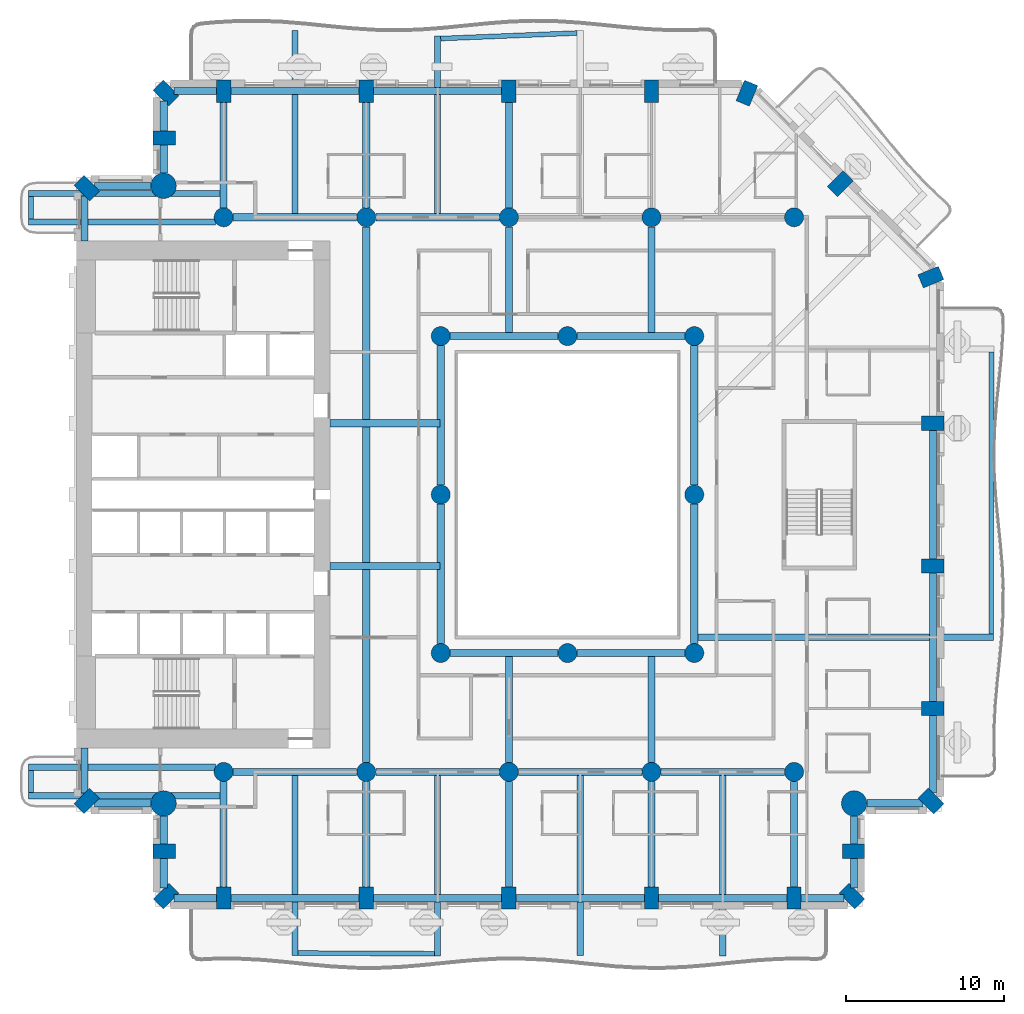
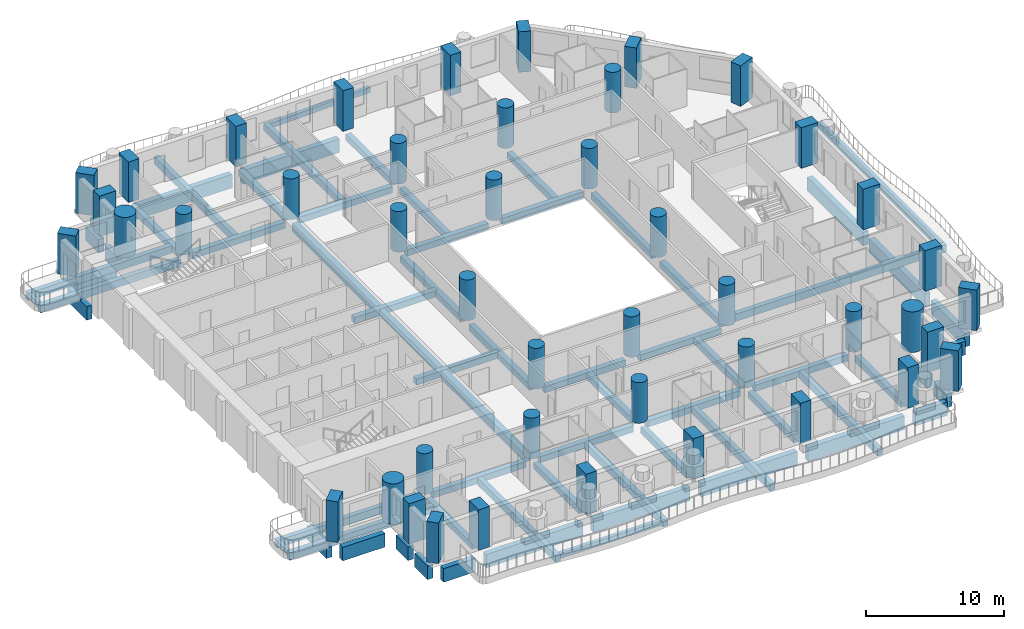
# One storey, part 1 of 20: 70 beams, 45 columns.
"""IFC4 building model written with IfcOpenShell, lengths in metres."""

from ifc_helpers import new_model, si_unit, direction, frame, origin, origin_2d, place, context, subcontext, project, spatial, rectangle, circle, extrude, material, material_profile, profile_set, type_object, element, save


model = new_model("IFC4")

# Units and contexts
model_context = context("Model", 3, precision=1e-05, world=origin(), true_north=direction((0.0, 1.0)))
body_context = subcontext(model_context, "Body", "Model", "MODEL_VIEW")
ifc_project = project(units=[si_unit("LENGTHUNIT", "METRE"), si_unit("AREAUNIT", "SQUARE_METRE"), si_unit("VOLUMEUNIT", "CUBIC_METRE"), si_unit("PLANEANGLEUNIT", "RADIAN"), si_unit("MASSUNIT", "GRAM", prefix="KILO")], contexts=[model_context])

# Site, building, storey
site_placement = place(None, origin())
site = spatial("IfcSite", under=ifc_project, at=site_placement, CompositionType="ELEMENT")
building_placement = place(site_placement, origin())
building = spatial("IfcBuilding", under=site, at=building_placement, Name="Cypress Arch Tower", CompositionType="ELEMENT")
storey_placement = place(building_placement, frame((0.0, 0.0, 62.699951171875)))
storey = spatial("IfcBuildingStorey", under=building, at=storey_placement, Name="L09", CompositionType="ELEMENT", Elevation=62.699951171875)

# Columns
ifc_material_1 = material(Name="Concrete C80/95", Category="concrete")
ifc_material_profile_1 = material_profile(ifc_material_1, rectangle(XDim=0.89990234375, YDim=1.39990234375, at=origin_2d()), Name="RC 900x1400")
ifc_profile_set_1 = profile_set([ifc_material_profile_1], Name="Concrete C80/95")
column_type_1 = type_object("IfcColumnType", Name="Column RC 900x1400 Concrete C80/95", PredefinedType="COLUMN", material=ifc_profile_set_1)
for number, where, z_axis, x_axis, name in (
    (1, (-29.3369140625, 19.3369140625, 0.0), (0.0, 0.0, 1.0), (-0.707106781187, -0.707106781187, 0.0), "Column L09 CA00"),
    (2, (-29.3369140625, -19.3369140625, 0.0), (0.0, 0.0, 1.0), (0.707106781187, -0.707106781187, 0.0), "Column L09 CA01"),
    (3, (-24.449951171875, -22.5, 0.0), (0.0, 0.0, 1.0), (0.0, -1.0, 0.0), "Column L09 CA03"),
    (4, (-24.3369140625, -25.3369140625, 0.0), (0.0, 0.0, 1.0), (0.707106781187, -0.707106781187, 0.0), "Column L09 CA04"),
    (5, (-20.699951171875, -25.449951171875, 0.0), (0.0, 0.0, 1.0), (1.0, 0.0, 0.0), "Column L09 CA05"),
    (6, (-11.699951171875, -25.449951171875, 0.0), (0.0, 0.0, 1.0), (1.0, 0.0, 0.0), "Column L09 CA06"),
    (7, (-2.699951171875, -25.449951171875, 0.0), (0.0, 0.0, 1.0), (1.0, 0.0, 0.0), "Column L09 CA07"),
    (8, (6.300048828125, -25.449951171875, 0.0), (0.0, 0.0, 1.0), (1.0, 0.0, 0.0), "Column L09 CA08"),
    (9, (15.300048828125, -25.449951171875, 0.0), (0.0, 0.0, 1.0), (1.0, 0.0, 0.0), "Column L09 CA09"),
    (10, (18.936767578125, -25.3369140625, 0.0), (0.0, 0.0, 1.0), (0.707106781187, 0.707106781187, 0.0), "Column L09 CA10"),
    (11, (19.050048828125, -22.5, 0.0), (0.0, 0.0, 1.0), (0.0, 1.0, 0.0), "Column L09 CA11"),
    (12, (23.936767578125, -19.3369140625, 0.0), (0.0, 0.0, 1.0), (0.707106781187, 0.707106781187, 0.0), "Column L09 CA13"),
    (13, (24.050048828125, -13.5, 0.0), (0.0, 0.0, 1.0), (0.0, 1.0, 0.0), "Column L09 CA14"),
    (14, (24.050048828125, -4.5, 0.0), (0.0, 0.0, 1.0), (0.0, 1.0, 0.0), "Column L09 CA15"),
    (15, (24.050048828125, 4.5, 0.0), (0.0, 0.0, 1.0), (0.0, 1.0, 0.0), "Column L09 CA16"),
    (16, (23.93115234375, 13.722900390625, 0.0), (0.0, 0.0, 1.0), (-0.382683496864, 0.923879505795, 0.0), "Column L09 CA17"),
    (17, (18.211181640625, 19.611083984375, 0.0), (0.0, 0.0, 1.0), (-0.707106781187, 0.707106781187, 0.0), "Column L09 CA18"),
    (18, (12.322998046875, 25.3310546875, 0.0), (0.0, 0.0, 1.0), (-0.923879505795, 0.382683496864, 0.0), "Column L09 CA19"),
    (19, (6.300048828125, 25.449951171875, 0.0), (0.0, 0.0, 1.0), (-1.0, 0.0, 0.0), "Column L09 CA20"),
    (20, (-2.699951171875, 25.449951171875, 0.0), (0.0, 0.0, 1.0), (-1.0, 0.0, 0.0), "Column L09 CA21"),
    (21, (-11.699951171875, 25.449951171875, 0.0), (0.0, 0.0, 1.0), (-1.0, 0.0, 0.0), "Column L09 CA22"),
    (22, (-20.699951171875, 25.449951171875, 0.0), (0.0, 0.0, 1.0), (-1.0, 0.0, 0.0), "Column L09 CA23"),
    (23, (-24.3369140625, 25.3369140625, 0.0), (0.0, 0.0, 1.0), (-0.707106781187, -0.707106781187, 0.0), "Column L09 CA24"),
    (24, (-24.449951171875, 22.5, 0.0), (0.0, 0.0, 1.0), (0.0, -1.0, 0.0), "Column L09 CA25"),
):
    element("IfcColumn", number, at=place(storey_placement, frame(where, z_axis=z_axis, x_axis=x_axis)), inside=storey, type_object=column_type_1, Name=name, PredefinedType="COLUMN", context=body_context, shape_type="SweptSolid", body=[
        extrude(rectangle(XDim=0.89990234375, YDim=1.39990234375, at=origin_2d()), origin(), (0.0, 0.0, 1.0), 3.60009765625),
    ])
ifc_material_2 = material(Name="Concrete C80/95", Category="concrete")
ifc_material_profile_2 = material_profile(ifc_material_2, circle(Radius=0.60009765625, at=origin_2d()), Name="RC D1200")
ifc_profile_set_2 = profile_set([ifc_material_profile_2], Name="Concrete C80/95")
column_type_2 = type_object("IfcColumnType", Name="Column RC D1200 Concrete C80/95", PredefinedType="COLUMN", material=ifc_profile_set_2)
for number, where, z_axis, x_axis, name in (
    (25, (-20.699951171875, -17.5, 0.0), (0.0, 0.0, 1.0), (1.0, 0.0, 0.0), "Column L09 CIC-L09-CI3S"),
    (26, (-11.699951171875, -17.5, 0.0), (0.0, 0.0, 1.0), (1.0, 0.0, 0.0), "Column L09 CIC-L09-CI4S"),
    (27, (-2.699951171875, -17.5, 0.0), (0.0, 0.0, 1.0), (1.0, 0.0, 0.0), "Column L09 CIC-L09-CI5S"),
    (28, (6.300048828125, -17.5, 0.0), (0.0, 0.0, 1.0), (1.0, 0.0, 0.0), "Column L09 CIC-L09-CI6S"),
    (29, (15.300048828125, -17.5, 0.0), (0.0, 0.0, 1.0), (1.0, 0.0, 0.0), "Column L09 CIC-L09-CI7S"),
    (30, (-20.699951171875, 17.5, 0.0), (0.0, 0.0, 1.0), (1.0, 0.0, 0.0), "Column L09 CIC-L09-CI3N"),
    (31, (-11.699951171875, 17.5, 0.0), (0.0, 0.0, 1.0), (1.0, 0.0, 0.0), "Column L09 CIC-L09-CI4N"),
    (32, (-2.699951171875, 17.5, 0.0), (0.0, 0.0, 1.0), (1.0, 0.0, 0.0), "Column L09 CIC-L09-CI5N"),
    (33, (6.300048828125, 17.5, 0.0), (0.0, 0.0, 1.0), (1.0, 0.0, 0.0), "Column L09 CIC-L09-CI6N"),
    (34, (15.300048828125, 17.5, 0.0), (0.0, 0.0, 1.0), (1.0, 0.0, 0.0), "Column L09 CIC-L09-CI7N"),
    (35, (-7.0, -10.0, 0.0), (0.0, 0.0, 1.0), (1.0, 0.0, 0.0), "Column L09 RNG-L09-G-7-10"),
    (36, (-7.0, 0.0, 0.0), (0.0, 0.0, 1.0), (1.0, 0.0, 0.0), "Column L09 RNG-L09-G-7+0"),
    (37, (-7.0, 10.0, 0.0), (0.0, 0.0, 1.0), (1.0, 0.0, 0.0), "Column L09 RNG-L09-G-7+10"),
    (38, (1.0, -10.0, 0.0), (0.0, 0.0, 1.0), (1.0, 0.0, 0.0), "Column L09 RNG-L09-G+1-10"),
    (39, (1.0, 10.0, 0.0), (0.0, 0.0, 1.0), (1.0, 0.0, 0.0), "Column L09 RNG-L09-G+1+10"),
    (40, (9.0, -10.0, 0.0), (0.0, 0.0, 1.0), (1.0, 0.0, 0.0), "Column L09 RNG-L09-G+9-10"),
    (41, (9.0, 0.0, 0.0), (0.0, 0.0, 1.0), (1.0, 0.0, 0.0), "Column L09 RNG-L09-G+9+0"),
    (42, (9.0, 10.0, 0.0), (0.0, 0.0, 1.0), (1.0, 0.0, 0.0), "Column L09 RNG-L09-G+9+10"),
):
    element("IfcColumn", number, at=place(storey_placement, frame(where, z_axis=z_axis, x_axis=x_axis)), inside=storey, type_object=column_type_2, Name=name, PredefinedType="COLUMN", context=body_context, shape_type="SweptSolid", body=[
        extrude(circle(Radius=0.60009765625, at=origin_2d()), origin(), (0.0, 0.0, 1.0), 3.60009765625),
    ])
ifc_material_3 = material(Name="Concrete C80/95", Category="concrete")
ifc_material_profile_3 = material_profile(ifc_material_3, circle(Radius=0.800048828125, at=origin_2d()), Name="RC D1600")
ifc_profile_set_3 = profile_set([ifc_material_profile_3], Name="Concrete C80/95")
column_type_3 = type_object("IfcColumnType", Name="Mega-column RC D1600 Concrete C80/95", PredefinedType="COLUMN", material=ifc_profile_set_3)
for number, where, z_axis, x_axis, name in (
    (43, (-24.48779296875, -19.48779296875, 0.0), (0.0, 0.0, 1.0), (1.0, 0.0, 0.0), "Column L09 CA02"),
    (44, (19.087890625, -19.48779296875, 0.0), (0.0, 0.0, 1.0), (1.0, 0.0, 0.0), "Column L09 CA12"),
    (45, (-24.48779296875, 19.48779296875, 0.0), (0.0, 0.0, 1.0), (1.0, 0.0, 0.0), "Column L09 CA26"),
):
    element("IfcColumn", number, at=place(storey_placement, frame(where, z_axis=z_axis, x_axis=x_axis)), inside=storey, type_object=column_type_3, Name=name, PredefinedType="COLUMN", context=body_context, shape_type="SweptSolid", body=[
        extrude(circle(Radius=0.800048828125, at=origin_2d()), origin(), (0.0, 0.0, 1.0), 3.60009765625),
    ])

# Beams
ifc_material_4 = material(Name="Concrete C50/60", Category="concrete")
ifc_material_profile_4 = material_profile(ifc_material_4, rectangle(XDim=0.300048828125, YDim=0.449951171875, at=origin_2d()), Name="RC 300x450")
ifc_profile_set_4 = profile_set([ifc_material_profile_4], Name="Concrete C50/60")
beam_type_1 = type_object("IfcBeamType", Name="Balcony edge beam RC 300x450 Concrete C50/60", PredefinedType="BEAM", material=ifc_profile_set_4)
beam_1_placement = place(storey_placement, frame((-16.0, -28.929443359375, -0.52490234375), z_axis=(0.999988762519, -0.004740763168, 0.0), x_axis=(0.004740763168, 0.999988762519, 0.0)))
element("IfcBeam", 46, at=beam_1_placement, inside=storey, type_object=beam_type_1, Name="Balcony edge beam L09 A03", PredefinedType="BEAM", context=body_context, shape_type="SweptSolid", body=[
    extrude(rectangle(XDim=0.300048828125, YDim=0.449951171875, at=origin_2d()), origin(), (0.0, 0.0, 1.0), 8.60009765625),
])
beam_2_placement = place(storey_placement, frame((1.60009765625, 29.12548828125, -0.52490234375), z_axis=(-0.999182777257, -0.040420015261, 0.0), x_axis=(0.040420015261, -0.999182777257, 0.0)))
element("IfcBeam", 47, at=beam_2_placement, inside=storey, type_object=beam_type_1, Name="Balcony edge beam L09 A08", PredefinedType="BEAM", context=body_context, shape_type="SweptSolid", body=[
    extrude(rectangle(XDim=0.300048828125, YDim=0.449951171875, at=origin_2d()), origin(), (0.0, 0.0, 1.0), 8.607177734375),
])
ifc_material_5 = material(Name="Concrete C50/60", Category="concrete")
ifc_material_profile_5 = material_profile(ifc_material_5, rectangle(XDim=0.300048828125, YDim=0.64990234375, at=origin_2d()), Name="RC 300x650")
ifc_profile_set_5 = profile_set([ifc_material_profile_5], Name="Concrete C50/60")
beam_type_2 = type_object("IfcBeamType", Name="Balcony edge beam RC 300x650 Concrete C50/60", PredefinedType="BEAM", material=ifc_profile_set_5)
beam_3_placement = place(storey_placement, frame((27.741455078125, -8.800048828125, -0.625), z_axis=(0.000576455798, 0.999999833849, 0.0), x_axis=(-0.999999833849, 0.000576455798, 0.0)))
element("IfcBeam", 48, at=beam_3_placement, inside=storey, type_object=beam_type_2, Name="Balcony edge beam L09 A06", PredefinedType="BEAM", context=body_context, shape_type="SweptSolid", body=[
    extrude(rectangle(XDim=0.300048828125, YDim=0.64990234375, at=origin_2d()), origin(), (0.0, 0.0, 1.0), 17.787841796875),
])
ifc_material_6 = material(Name="Concrete C50/60", Category="concrete")
ifc_material_profile_6 = material_profile(ifc_material_6, rectangle(XDim=0.300048828125, YDim=0.39990234375, at=origin_2d()), Name="RC 300x400")
ifc_profile_set_6 = profile_set([ifc_material_profile_6], Name="Concrete C50/60")
beam_type_3 = type_object("IfcBeamType", Name="Balcony stub beam RC 300x400 Concrete C50/60", PredefinedType="BEAM", material=ifc_profile_set_6)
for number, where, z_axis, x_axis, name in (
    (49, (-32.85009765625, 18.800048828125, -0.5), (0.0, -1.0, 0.0), (1.0, 0.0, 0.0), "Balcony stub beam L09 A00W0"),
    (50, (-32.85009765625, -17.39990234375, -0.5), (0.0, -1.0, 0.0), (1.0, 0.0, 0.0), "Balcony stub beam L09 A00W1"),
):
    element("IfcBeam", number, at=place(storey_placement, frame(where, z_axis=z_axis, x_axis=x_axis)), inside=storey, type_object=beam_type_3, Name=name, PredefinedType="BEAM", context=body_context, shape_type="SweptSolid", body=[
        extrude(rectangle(XDim=0.300048828125, YDim=0.39990234375, at=origin_2d()), origin(), (0.0, 0.0, 1.0), 1.400146484375),
    ])
ifc_material_7 = material(Name="Concrete C50/60", Category="concrete")
ifc_material_profile_7 = material_profile(ifc_material_7, rectangle(XDim=0.39990234375, YDim=0.64990234375, at=origin_2d()), Name="RC 400x650")
ifc_profile_set_7 = profile_set([ifc_material_profile_7], Name="Concrete C50/60")
beam_type_4 = type_object("IfcBeamType", Name="Cantilever beam RC 400x650 Concrete C50/60", PredefinedType="BEAM", material=ifc_profile_set_7)
beam_4_placement = place(storey_placement, frame((-20.925048828125, 19.0, -0.625), z_axis=(-1.0, 0.0, 0.0), x_axis=(0.0, -1.0, 0.0)))
element("IfcBeam", 51, at=beam_4_placement, inside=storey, type_object=beam_type_4, Name="Cantilever beam L09 A00 1", PredefinedType="BEAM", context=body_context, shape_type="SweptSolid", body=[
    extrude(rectangle(XDim=0.39990234375, YDim=0.64990234375, at=origin_2d()), origin(), (0.0, 0.0, 1.0), 12.074951171875),
])
for number, where, z_axis, x_axis, name in (
    (52, (-21.219482421875, 17.199951171875, -0.625), (-1.0, 0.0, 0.0), (0.0, -1.0, 0.0), "Cantilever beam L09 A00 2"),
    (53, (-21.219482421875, -17.199951171875, -0.625), (-1.0, 0.0, 0.0), (0.0, -1.0, 0.0), "Cantilever beam L09 A00 1"),
):
    element("IfcBeam", number, at=place(storey_placement, frame(where, z_axis=z_axis, x_axis=x_axis)), inside=storey, type_object=beam_type_4, Name=name, PredefinedType="BEAM", context=body_context, shape_type="SweptSolid", body=[
        extrude(rectangle(XDim=0.39990234375, YDim=0.64990234375, at=origin_2d()), origin(), (0.0, 0.0, 1.0), 11.780517578125),
    ])
beam_5_placement = place(storey_placement, frame((-20.925048828125, -19.0, -0.625), z_axis=(-1.0, 0.0, 0.0), x_axis=(0.0, -1.0, 0.0)))
element("IfcBeam", 54, at=beam_5_placement, inside=storey, type_object=beam_type_4, Name="Cantilever beam L09 A00 2", PredefinedType="BEAM", context=body_context, shape_type="SweptSolid", body=[
    extrude(rectangle(XDim=0.39990234375, YDim=0.64990234375, at=origin_2d()), origin(), (0.0, 0.0, 1.0), 12.074951171875),
])
beam_6_placement = place(storey_placement, frame((-16.199951171875, -17.72509765625, -0.625), z_axis=(0.0, -1.0, 0.0), x_axis=(1.0, 0.0, 0.0)))
element("IfcBeam", 55, at=beam_6_placement, inside=storey, type_object=beam_type_4, Name="Cantilever beam L09 A03 1", PredefinedType="BEAM", context=body_context, shape_type="SweptSolid", body=[
    extrude(rectangle(XDim=0.39990234375, YDim=0.64990234375, at=origin_2d()), origin(), (0.0, 0.0, 1.0), 11.354248046875),
])
beam_7_placement = place(storey_placement, frame((-7.199951171875, -17.72509765625, -0.625), z_axis=(0.0, -1.0, 0.0), x_axis=(1.0, 0.0, 0.0)))
element("IfcBeam", 56, at=beam_7_placement, inside=storey, type_object=beam_type_4, Name="Cantilever beam L09 A03 2", PredefinedType="BEAM", context=body_context, shape_type="SweptSolid", body=[
    extrude(rectangle(XDim=0.39990234375, YDim=0.64990234375, at=origin_2d()), origin(), (0.0, 0.0, 1.0), 11.395263671875),
])
beam_8_placement = place(storey_placement, frame((1.800048828125, -17.72509765625, -0.625), z_axis=(0.0, -1.0, 0.0), x_axis=(1.0, 0.0, 0.0)))
element("IfcBeam", 57, at=beam_8_placement, inside=storey, type_object=beam_type_4, Name="Cantilever beam L09 A03 3", PredefinedType="BEAM", context=body_context, shape_type="SweptSolid", body=[
    extrude(rectangle(XDim=0.39990234375, YDim=0.64990234375, at=origin_2d()), origin(), (0.0, 0.0, 1.0), 11.354736328125),
])
beam_9_placement = place(storey_placement, frame((10.800048828125, -17.72509765625, -0.625), z_axis=(0.0, -1.0, 0.0), x_axis=(1.0, 0.0, 0.0)))
element("IfcBeam", 58, at=beam_9_placement, inside=storey, type_object=beam_type_4, Name="Cantilever beam L09 A03 4", PredefinedType="BEAM", context=body_context, shape_type="SweptSolid", body=[
    extrude(rectangle(XDim=0.39990234375, YDim=0.64990234375, at=origin_2d()), origin(), (0.0, 0.0, 1.0), 11.394775390625),
])
beam_10_placement = place(storey_placement, frame((9.22509765625, -9.0, -0.625), z_axis=(1.0, 0.0, 0.0), x_axis=(0.0, 1.0, 0.0)))
element("IfcBeam", 59, at=beam_10_placement, inside=storey, type_object=beam_type_4, Name="Cantilever beam L09 A06 1", PredefinedType="BEAM", context=body_context, shape_type="SweptSolid", body=[
    extrude(rectangle(XDim=0.39990234375, YDim=0.64990234375, at=origin_2d()), origin(), (0.0, 0.0, 1.0), 18.66650390625),
])
beam_11_placement = place(storey_placement, frame((-7.199951171875, 17.72509765625, -0.625), z_axis=(0.0, 1.0, 0.0), x_axis=(-1.0, 0.0, 0.0)))
element("IfcBeam", 60, at=beam_11_placement, inside=storey, type_object=beam_type_4, Name="Cantilever beam L09 A08 2", PredefinedType="BEAM", context=body_context, shape_type="SweptSolid", body=[
    extrude(rectangle(XDim=0.39990234375, YDim=0.64990234375, at=origin_2d()), origin(), (0.0, 0.0, 1.0), 11.202392578125),
])
beam_12_placement = place(storey_placement, frame((-16.199951171875, 17.72509765625, -0.625), z_axis=(0.0, 1.0, 0.0), x_axis=(-1.0, 0.0, 0.0)))
element("IfcBeam", 61, at=beam_12_placement, inside=storey, type_object=beam_type_4, Name="Cantilever beam L09 A08 3", PredefinedType="BEAM", context=body_context, shape_type="SweptSolid", body=[
    extrude(rectangle(XDim=0.39990234375, YDim=0.64990234375, at=origin_2d()), origin(), (0.0, 0.0, 1.0), 11.545654296875),
])
ifc_material_8 = material(Name="Concrete C50/60", Category="concrete")
ifc_material_profile_8 = material_profile(ifc_material_8, rectangle(XDim=0.449951171875, YDim=0.550048828125, at=origin_2d()), Name="RC 450x550")
ifc_profile_set_8 = profile_set([ifc_material_profile_8], Name="Concrete C50/60")
beam_type_5 = type_object("IfcBeamType", Name="Floor beam RC 450x550 Concrete C50/60", PredefinedType="BEAM", material=ifc_profile_set_8)
for number, where, z_axis, x_axis, name in (
    (62, (-7.0, -9.39990234375, -0.574951171875), (0.0, 1.0, 0.0), (-1.0, 0.0, 0.0), "Floor beam L09 RB001"),
    (63, (-7.0, 0.60009765625, -0.574951171875), (0.0, 1.0, 0.0), (-1.0, 0.0, 0.0), "Floor beam L09 RB002"),
    (64, (9.0, -9.39990234375, -0.574951171875), (0.0, 1.0, 0.0), (-1.0, 0.0, 0.0), "Floor beam L09 RB003"),
    (65, (9.0, 0.60009765625, -0.574951171875), (0.0, 1.0, 0.0), (-1.0, 0.0, 0.0), "Floor beam L09 RB004"),
):
    element("IfcBeam", number, at=place(storey_placement, frame(where, z_axis=z_axis, x_axis=x_axis)), inside=storey, type_object=beam_type_5, Name=name, PredefinedType="BEAM", context=body_context, shape_type="SweptSolid", body=[
        extrude(rectangle(XDim=0.449951171875, YDim=0.550048828125, at=origin_2d()), origin(), (0.0, 0.0, 1.0), 8.7998046875),
    ])
for number, where, z_axis, x_axis, name in (
    (66, (-6.39990234375, -10.0, -0.574951171875), (1.0, 0.0, 0.0), (0.0, 1.0, 0.0), "Floor beam L09 RB005"),
    (67, (1.60009765625, -10.0, -0.574951171875), (1.0, 0.0, 0.0), (0.0, 1.0, 0.0), "Floor beam L09 RB006"),
    (68, (-6.39990234375, 10.0, -0.574951171875), (1.0, 0.0, 0.0), (0.0, 1.0, 0.0), "Floor beam L09 RB007"),
    (69, (1.60009765625, 10.0, -0.574951171875), (1.0, 0.0, 0.0), (0.0, 1.0, 0.0), "Floor beam L09 RB008"),
):
    element("IfcBeam", number, at=place(storey_placement, frame(where, z_axis=z_axis, x_axis=x_axis)), inside=storey, type_object=beam_type_5, Name=name, PredefinedType="BEAM", context=body_context, shape_type="SweptSolid", body=[
        extrude(rectangle(XDim=0.449951171875, YDim=0.550048828125, at=origin_2d()), origin(), (0.0, 0.0, 1.0), 6.7998046875),
    ])
for number, where, z_axis, x_axis, name in (
    (70, (-20.10009765625, -17.5, -0.574951171875), (1.0, 0.0, 0.0), (0.0, 1.0, 0.0), "Floor beam L09 FB009"),
    (71, (-11.10009765625, -17.5, -0.574951171875), (1.0, 0.0, 0.0), (0.0, 1.0, 0.0), "Floor beam L09 FB010"),
    (72, (-2.10009765625, -17.5, -0.574951171875), (1.0, 0.0, 0.0), (0.0, 1.0, 0.0), "Floor beam L09 FB011"),
    (73, (6.89990234375, -17.5, -0.574951171875), (1.0, 0.0, 0.0), (0.0, 1.0, 0.0), "Floor beam L09 FB012"),
):
    element("IfcBeam", number, at=place(storey_placement, frame(where, z_axis=z_axis, x_axis=x_axis)), inside=storey, type_object=beam_type_5, Name=name, PredefinedType="BEAM", context=body_context, shape_type="SweptSolid", body=[
        extrude(rectangle(XDim=0.449951171875, YDim=0.550048828125, at=origin_2d()), origin(), (0.0, 0.0, 1.0), 7.800048828125),
    ])
for number, where, z_axis, x_axis, name in (
    (74, (-14.0, -4.5, -0.574951171875), (1.0, 0.0, 0.0), (0.0, 1.0, 0.0), "Floor beam L09 FB013"),
    (75, (-14.0, 4.5, -0.574951171875), (1.0, 0.0, 0.0), (0.0, 1.0, 0.0), "Floor beam L09 FB014"),
):
    element("IfcBeam", number, at=place(storey_placement, frame(where, z_axis=z_axis, x_axis=x_axis)), inside=storey, type_object=beam_type_5, Name=name, PredefinedType="BEAM", context=body_context, shape_type="SweptSolid", body=[
        extrude(rectangle(XDim=0.449951171875, YDim=0.550048828125, at=origin_2d()), origin(), (0.0, 0.0, 1.0), 6.949951171875),
    ])
for number, where, z_axis, x_axis, name in (
    (76, (-20.10009765625, 17.5, -0.574951171875), (1.0, 0.0, 0.0), (0.0, 1.0, 0.0), "Floor beam L09 FB015"),
    (77, (-11.10009765625, 17.5, -0.574951171875), (1.0, 0.0, 0.0), (0.0, 1.0, 0.0), "Floor beam L09 FB016"),
):
    element("IfcBeam", number, at=place(storey_placement, frame(where, z_axis=z_axis, x_axis=x_axis)), inside=storey, type_object=beam_type_5, Name=name, PredefinedType="BEAM", context=body_context, shape_type="SweptSolid", body=[
        extrude(rectangle(XDim=0.449951171875, YDim=0.550048828125, at=origin_2d()), origin(), (0.0, 0.0, 1.0), 7.800048828125),
    ])
for number, where, z_axis, x_axis, name in (
    (78, (-20.699951171875, -24.75, -0.574951171875), (0.0, 1.0, 0.0), (-1.0, 0.0, 0.0), "Floor beam L09 FB019"),
    (79, (-20.699951171875, 18.10009765625, -0.574951171875), (0.0, 1.0, 0.0), (-1.0, 0.0, 0.0), "Floor beam L09 FB020"),
    (80, (-11.699951171875, -24.75, -0.574951171875), (0.0, 1.0, 0.0), (-1.0, 0.0, 0.0), "Floor beam L09 FB021"),
):
    element("IfcBeam", number, at=place(storey_placement, frame(where, z_axis=z_axis, x_axis=x_axis)), inside=storey, type_object=beam_type_5, Name=name, PredefinedType="BEAM", context=body_context, shape_type="SweptSolid", body=[
        extrude(rectangle(XDim=0.449951171875, YDim=0.550048828125, at=origin_2d()), origin(), (0.0, 0.0, 1.0), 6.64990234375),
    ])
beam_13_placement = place(storey_placement, frame((-11.699951171875, -4.27490234375, -0.574951171875), z_axis=(0.0, 1.0, 0.0), x_axis=(-1.0, 0.0, 0.0)))
element("IfcBeam", 81, at=beam_13_placement, inside=storey, type_object=beam_type_5, Name="Floor beam L09 FB023", PredefinedType="BEAM", context=body_context, shape_type="SweptSolid", body=[
    extrude(rectangle(XDim=0.449951171875, YDim=0.550048828125, at=origin_2d()), origin(), (0.0, 0.0, 1.0), 8.5498046875),
])
for number, where, z_axis, x_axis, name in (
    (82, (-11.699951171875, 18.10009765625, -0.574951171875), (0.0, 1.0, 0.0), (-1.0, 0.0, 0.0), "Floor beam L09 FB025"),
    (83, (-2.699951171875, -24.75, -0.574951171875), (0.0, 1.0, 0.0), (-1.0, 0.0, 0.0), "Floor beam L09 FB026"),
):
    element("IfcBeam", number, at=place(storey_placement, frame(where, z_axis=z_axis, x_axis=x_axis)), inside=storey, type_object=beam_type_5, Name=name, PredefinedType="BEAM", context=body_context, shape_type="SweptSolid", body=[
        extrude(rectangle(XDim=0.449951171875, YDim=0.550048828125, at=origin_2d()), origin(), (0.0, 0.0, 1.0), 6.64990234375),
    ])
for number, where, z_axis, x_axis, name in (
    (84, (-2.699951171875, -16.89990234375, -0.574951171875), (0.0, 1.0, 0.0), (-1.0, 0.0, 0.0), "Floor beam L09 FB027"),
    (85, (-2.699951171875, 10.22509765625, -0.574951171875), (0.0, 1.0, 0.0), (-1.0, 0.0, 0.0), "Floor beam L09 FB028"),
):
    element("IfcBeam", number, at=place(storey_placement, frame(where, z_axis=z_axis, x_axis=x_axis)), inside=storey, type_object=beam_type_5, Name=name, PredefinedType="BEAM", context=body_context, shape_type="SweptSolid", body=[
        extrude(rectangle(XDim=0.449951171875, YDim=0.550048828125, at=origin_2d()), origin(), (0.0, 0.0, 1.0), 6.6748046875),
    ])
for number, where, z_axis, x_axis, name in (
    (86, (-2.699951171875, 18.10009765625, -0.574951171875), (0.0, 1.0, 0.0), (-1.0, 0.0, 0.0), "Floor beam L09 FB029"),
    (87, (6.300048828125, -24.75, -0.574951171875), (0.0, 1.0, 0.0), (-1.0, 0.0, 0.0), "Floor beam L09 FB030"),
):
    element("IfcBeam", number, at=place(storey_placement, frame(where, z_axis=z_axis, x_axis=x_axis)), inside=storey, type_object=beam_type_5, Name=name, PredefinedType="BEAM", context=body_context, shape_type="SweptSolid", body=[
        extrude(rectangle(XDim=0.449951171875, YDim=0.550048828125, at=origin_2d()), origin(), (0.0, 0.0, 1.0), 6.64990234375),
    ])
for number, where, z_axis, x_axis, name in (
    (88, (6.300048828125, -16.89990234375, -0.574951171875), (0.0, 1.0, 0.0), (-1.0, 0.0, 0.0), "Floor beam L09 FB031"),
    (89, (6.300048828125, 10.22509765625, -0.574951171875), (0.0, 1.0, 0.0), (-1.0, 0.0, 0.0), "Floor beam L09 FB032"),
):
    element("IfcBeam", number, at=place(storey_placement, frame(where, z_axis=z_axis, x_axis=x_axis)), inside=storey, type_object=beam_type_5, Name=name, PredefinedType="BEAM", context=body_context, shape_type="SweptSolid", body=[
        extrude(rectangle(XDim=0.449951171875, YDim=0.550048828125, at=origin_2d()), origin(), (0.0, 0.0, 1.0), 6.6748046875),
    ])
beam_14_placement = place(storey_placement, frame((15.300048828125, -24.75, -0.574951171875), z_axis=(0.0, 1.0, 0.0), x_axis=(-1.0, 0.0, 0.0)))
element("IfcBeam", 90, at=beam_14_placement, inside=storey, type_object=beam_type_5, Name="Floor beam L09 FB034", PredefinedType="BEAM", context=body_context, shape_type="SweptSolid", body=[
    extrude(rectangle(XDim=0.449951171875, YDim=0.550048828125, at=origin_2d()), origin(), (0.0, 0.0, 1.0), 6.64990234375),
])
ifc_material_9 = material(Name="Concrete C50/60", Category="concrete")
ifc_material_profile_9 = material_profile(ifc_material_9, rectangle(XDim=0.5, YDim=0.699951171875, at=origin_2d()), Name="RC 500x700")
ifc_profile_set_9 = profile_set([ifc_material_profile_9], Name="Concrete C50/60")
beam_type_6 = type_object("IfcBeamType", Name="Floor beam RC 500x700 Concrete C50/60", PredefinedType="BEAM", material=ifc_profile_set_9)
for number, where, z_axis, x_axis, name in (
    (91, (-11.699951171875, -16.89990234375, -0.64990234375), (0.0, 1.0, 0.0), (-1.0, 0.0, 0.0), "Floor beam L09 FB022"),
    (92, (-11.699951171875, 4.72509765625, -0.64990234375), (0.0, 1.0, 0.0), (-1.0, 0.0, 0.0), "Floor beam L09 FB024"),
):
    element("IfcBeam", number, at=place(storey_placement, frame(where, z_axis=z_axis, x_axis=x_axis)), inside=storey, type_object=beam_type_6, Name=name, PredefinedType="BEAM", context=body_context, shape_type="SweptSolid", body=[
        extrude(rectangle(XDim=0.5, YDim=0.699951171875, at=origin_2d()), origin(), (0.0, 0.0, 1.0), 12.1748046875),
    ])
ifc_material_10 = material(Name="Concrete C50/60", Category="concrete")
ifc_material_profile_10 = material_profile(ifc_material_10, rectangle(XDim=0.449951171875, YDim=1.199951171875, at=origin_2d()), Name="RC 450x1200")
ifc_profile_set_10 = profile_set([ifc_material_profile_10], Name="Concrete C50/60")
beam_type_7 = type_object("IfcBeamType", Name="Spandrel beam RC 450x1200 Concrete C50/60", PredefinedType="SPANDREL", material=ifc_profile_set_10)
for number, where, z_axis, x_axis, name in (
    (93, (-29.47509765625, 18.838623046875, -1.550048828125), (0.0, -1.0, 0.0), (1.0, 0.0, 0.0), "Spandrel beam L09 BA00-0"),
    (94, (-29.47509765625, -16.0, -1.550048828125), (0.0, -1.0, 0.0), (1.0, 0.0, 0.0), "Spandrel beam L09 BA00-0"),
):
    element("IfcBeam", number, at=place(storey_placement, frame(where, z_axis=z_axis, x_axis=x_axis)), inside=storey, type_object=beam_type_7, Name=name, PredefinedType="SPANDREL", context=body_context, shape_type="SweptSolid", body=[
        extrude(rectangle(XDim=0.449951171875, YDim=1.199951171875, at=origin_2d()), origin(), (0.0, 0.0, 1.0), 2.838623046875),
    ])
beam_15_placement = place(storey_placement, frame((-28.838623046875, -19.47509765625, -1.550048828125), z_axis=(1.0, 0.0, 0.0), x_axis=(0.0, 1.0, 0.0)))
element("IfcBeam", 95, at=beam_15_placement, inside=storey, type_object=beam_type_7, Name="Spandrel beam L09 BA01-0", PredefinedType="SPANDREL", context=body_context, shape_type="SweptSolid", body=[
    extrude(rectangle(XDim=0.449951171875, YDim=1.199951171875, at=origin_2d()), origin(), (0.0, 0.0, 1.0), 3.551025390625),
])
beam_16_placement = place(storey_placement, frame((-24.47509765625, -20.28759765625, -1.550048828125), z_axis=(0.0, -1.0, 0.0), x_axis=(1.0, 0.0, 0.0)))
element("IfcBeam", 96, at=beam_16_placement, inside=storey, type_object=beam_type_7, Name="Spandrel beam L09 BA02-0", PredefinedType="SPANDREL", context=body_context, shape_type="SweptSolid", body=[
    extrude(rectangle(XDim=0.449951171875, YDim=1.199951171875, at=origin_2d()), origin(), (0.0, 0.0, 1.0), 1.762451171875),
])
beam_17_placement = place(storey_placement, frame((-24.47509765625, -22.949951171875, -1.550048828125), z_axis=(0.0, -1.0, 0.0), x_axis=(1.0, 0.0, 0.0)))
element("IfcBeam", 97, at=beam_17_placement, inside=storey, type_object=beam_type_7, Name="Spandrel beam L09 BA02-1", PredefinedType="SPANDREL", context=body_context, shape_type="SweptSolid", body=[
    extrude(rectangle(XDim=0.449951171875, YDim=1.199951171875, at=origin_2d()), origin(), (0.0, 0.0, 1.0), 1.888671875),
])
beam_18_placement = place(storey_placement, frame((-23.838623046875, -25.47509765625, -1.550048828125), z_axis=(1.0, 0.0, 0.0), x_axis=(0.0, 1.0, 0.0)))
element("IfcBeam", 98, at=beam_18_placement, inside=storey, type_object=beam_type_7, Name="Spandrel beam L09 BA03-0", PredefinedType="SPANDREL", context=body_context, shape_type="SweptSolid", body=[
    extrude(rectangle(XDim=0.449951171875, YDim=1.199951171875, at=origin_2d()), origin(), (0.0, 0.0, 1.0), 2.688720703125),
])
for number, where, z_axis, x_axis, name in (
    (99, (-20.25, -25.47509765625, -1.550048828125), (1.0, 0.0, 0.0), (0.0, 1.0, 0.0), "Spandrel beam L09 BA03-1"),
    (100, (-11.25, -25.47509765625, -1.550048828125), (1.0, 0.0, 0.0), (0.0, 1.0, 0.0), "Spandrel beam L09 BA03-2"),
    (101, (-2.25, -25.47509765625, -1.550048828125), (1.0, 0.0, 0.0), (0.0, 1.0, 0.0), "Spandrel beam L09 BA03-3"),
    (102, (6.75, -25.47509765625, -1.550048828125), (1.0, 0.0, 0.0), (0.0, 1.0, 0.0), "Spandrel beam L09 BA03-4"),
):
    element("IfcBeam", number, at=place(storey_placement, frame(where, z_axis=z_axis, x_axis=x_axis)), inside=storey, type_object=beam_type_7, Name=name, PredefinedType="SPANDREL", context=body_context, shape_type="SweptSolid", body=[
        extrude(rectangle(XDim=0.449951171875, YDim=1.199951171875, at=origin_2d()), origin(), (0.0, 0.0, 1.0), 8.10009765625),
    ])
beam_19_placement = place(storey_placement, frame((15.75, -25.47509765625, -1.550048828125), z_axis=(1.0, 0.0, 0.0), x_axis=(0.0, 1.0, 0.0)))
element("IfcBeam", 103, at=beam_19_placement, inside=storey, type_object=beam_type_7, Name="Spandrel beam L09 BA03-5", PredefinedType="SPANDREL", context=body_context, shape_type="SweptSolid", body=[
    extrude(rectangle(XDim=0.449951171875, YDim=1.199951171875, at=origin_2d()), origin(), (0.0, 0.0, 1.0), 2.688720703125),
])
beam_20_placement = place(storey_placement, frame((19.074951171875, -24.838623046875, -1.550048828125), z_axis=(0.0, 1.0, 0.0), x_axis=(-1.0, 0.0, 0.0)))
element("IfcBeam", 104, at=beam_20_placement, inside=storey, type_object=beam_type_7, Name="Spandrel beam L09 BA04-0", PredefinedType="SPANDREL", context=body_context, shape_type="SweptSolid", body=[
    extrude(rectangle(XDim=0.449951171875, YDim=1.199951171875, at=origin_2d()), origin(), (0.0, 0.0, 1.0), 1.888671875),
])
beam_21_placement = place(storey_placement, frame((19.074951171875, -22.050048828125, -1.550048828125), z_axis=(0.0, 1.0, 0.0), x_axis=(-1.0, 0.0, 0.0)))
element("IfcBeam", 105, at=beam_21_placement, inside=storey, type_object=beam_type_7, Name="Spandrel beam L09 BA04-1", PredefinedType="SPANDREL", context=body_context, shape_type="SweptSolid", body=[
    extrude(rectangle(XDim=0.449951171875, YDim=1.199951171875, at=origin_2d()), origin(), (0.0, 0.0, 1.0), 1.762451171875),
])
beam_22_placement = place(storey_placement, frame((19.887451171875, -19.47509765625, -1.550048828125), z_axis=(1.0, 0.0, 0.0), x_axis=(0.0, 1.0, 0.0)))
element("IfcBeam", 106, at=beam_22_placement, inside=storey, type_object=beam_type_7, Name="Spandrel beam L09 BA05-0", PredefinedType="SPANDREL", context=body_context, shape_type="SweptSolid", body=[
    extrude(rectangle(XDim=0.449951171875, YDim=1.199951171875, at=origin_2d()), origin(), (0.0, 0.0, 1.0), 3.55126953125),
])
beam_23_placement = place(storey_placement, frame((24.074951171875, -18.838623046875, -1.550048828125), z_axis=(0.0, 1.0, 0.0), x_axis=(-1.0, 0.0, 0.0)))
element("IfcBeam", 107, at=beam_23_placement, inside=storey, type_object=beam_type_7, Name="Spandrel beam L09 BA06-0", PredefinedType="SPANDREL", context=body_context, shape_type="SweptSolid", body=[
    extrude(rectangle(XDim=0.449951171875, YDim=1.199951171875, at=origin_2d()), origin(), (0.0, 0.0, 1.0), 4.888671875),
])
for number, where, z_axis, x_axis, name in (
    (108, (24.074951171875, -13.050048828125, -1.550048828125), (0.0, 1.0, 0.0), (-1.0, 0.0, 0.0), "Spandrel beam L09 BA06-1"),
    (109, (24.074951171875, -4.050048828125, -1.550048828125), (0.0, 1.0, 0.0), (-1.0, 0.0, 0.0), "Spandrel beam L09 BA06-2"),
    (110, (-3.14990234375, 25.47509765625, -1.550048828125), (-1.0, 0.0, 0.0), (0.0, -1.0, 0.0), "Spandrel beam L09 BA08-2"),
    (111, (-12.14990234375, 25.47509765625, -1.550048828125), (-1.0, 0.0, 0.0), (0.0, -1.0, 0.0), "Spandrel beam L09 BA08-3"),
):
    element("IfcBeam", number, at=place(storey_placement, frame(where, z_axis=z_axis, x_axis=x_axis)), inside=storey, type_object=beam_type_7, Name=name, PredefinedType="SPANDREL", context=body_context, shape_type="SweptSolid", body=[
        extrude(rectangle(XDim=0.449951171875, YDim=1.199951171875, at=origin_2d()), origin(), (0.0, 0.0, 1.0), 8.10009765625),
    ])
beam_24_placement = place(storey_placement, frame((-21.14990234375, 25.47509765625, -1.550048828125), z_axis=(-1.0, 0.0, 0.0), x_axis=(0.0, -1.0, 0.0)))
element("IfcBeam", 112, at=beam_24_placement, inside=storey, type_object=beam_type_7, Name="Spandrel beam L09 BA08-4", PredefinedType="SPANDREL", context=body_context, shape_type="SweptSolid", body=[
    extrude(rectangle(XDim=0.449951171875, YDim=1.199951171875, at=origin_2d()), origin(), (0.0, 0.0, 1.0), 2.688720703125),
])
beam_25_placement = place(storey_placement, frame((-24.47509765625, 24.838623046875, -1.550048828125), z_axis=(0.0, -1.0, 0.0), x_axis=(1.0, 0.0, 0.0)))
element("IfcBeam", 113, at=beam_25_placement, inside=storey, type_object=beam_type_7, Name="Spandrel beam L09 BA09-0", PredefinedType="SPANDREL", context=body_context, shape_type="SweptSolid", body=[
    extrude(rectangle(XDim=0.449951171875, YDim=1.199951171875, at=origin_2d()), origin(), (0.0, 0.0, 1.0), 1.888671875),
])
beam_26_placement = place(storey_placement, frame((-24.47509765625, 22.050048828125, -1.550048828125), z_axis=(0.0, -1.0, 0.0), x_axis=(1.0, 0.0, 0.0)))
element("IfcBeam", 114, at=beam_26_placement, inside=storey, type_object=beam_type_7, Name="Spandrel beam L09 BA09-1", PredefinedType="SPANDREL", context=body_context, shape_type="SweptSolid", body=[
    extrude(rectangle(XDim=0.449951171875, YDim=1.199951171875, at=origin_2d()), origin(), (0.0, 0.0, 1.0), 1.762451171875),
])
beam_27_placement = place(storey_placement, frame((-25.28759765625, 19.47509765625, -1.550048828125), z_axis=(-1.0, 0.0, 0.0), x_axis=(0.0, -1.0, 0.0)))
element("IfcBeam", 115, at=beam_27_placement, inside=storey, type_object=beam_type_7, Name="Spandrel beam L09 BA10-0", PredefinedType="SPANDREL", context=body_context, shape_type="SweptSolid", body=[
    extrude(rectangle(XDim=0.449951171875, YDim=1.199951171875, at=origin_2d()), origin(), (0.0, 0.0, 1.0), 3.551025390625),
])

save(model, "model.ifc")
